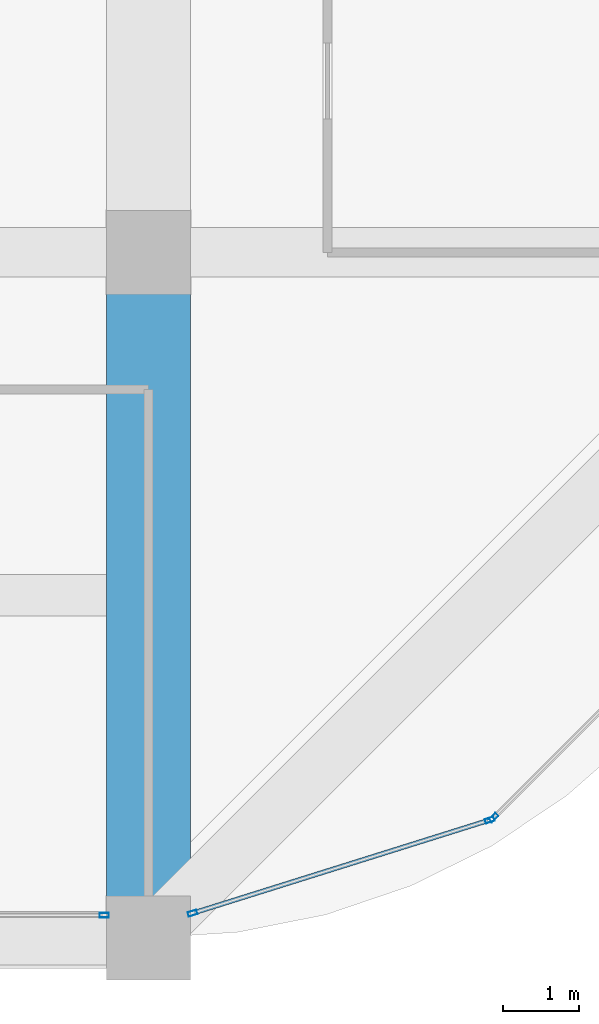
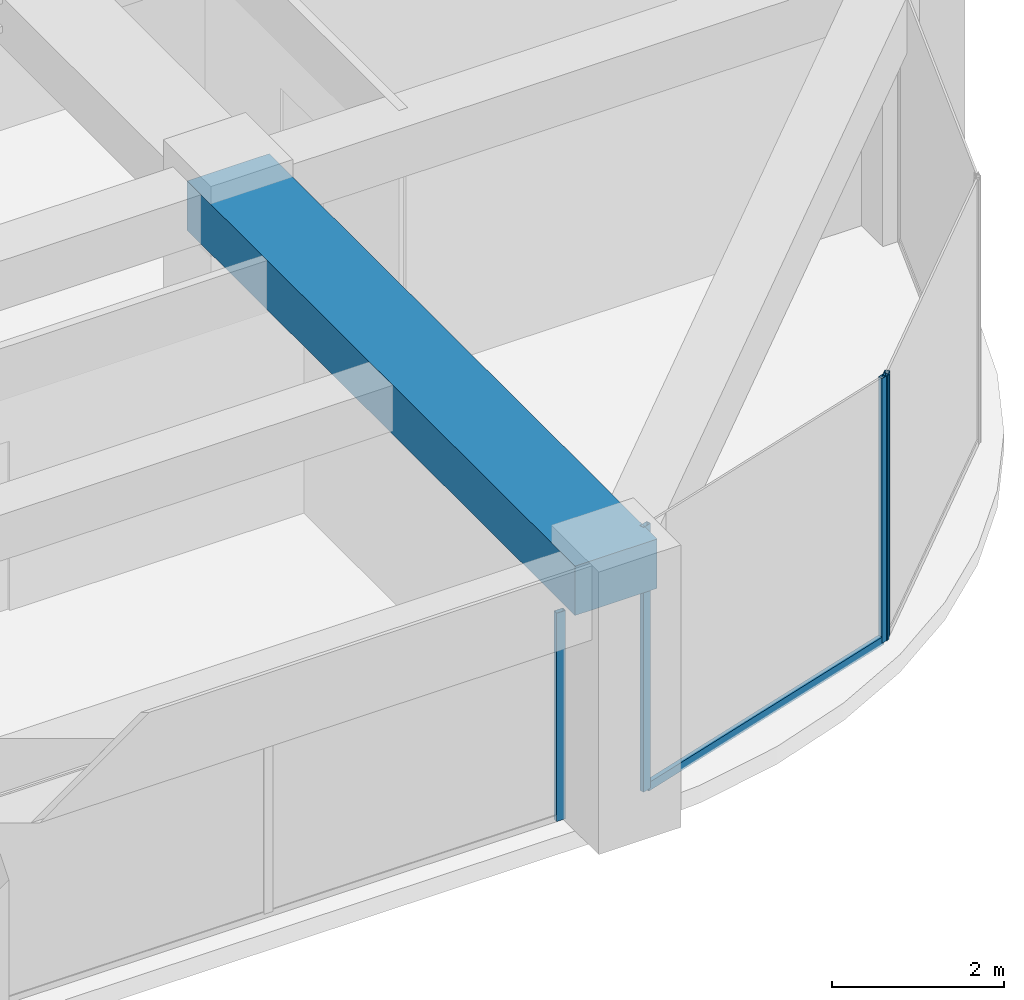
# One storey, part 18 of 44: 5 members, 1 beam, 3 elements without a shape of their own.
"""IFC4 building model written with IfcOpenShell, lengths in metres."""

from ifc_helpers import new_model, si_unit, direction, frame, origin, origin_2d, place, context, subcontext, project, spatial, rectangle, hollow_rectangle, extrude, material, material_profile, profile_set, type_object, element, aggregate, save


model = new_model("IFC4")

# Units and contexts
model_context = context("Model", 3, precision=1e-05, world=origin(), true_north=direction((0.0, 1.0)))
body_context = subcontext(model_context, "Body", "Model", "MODEL_VIEW")
ifc_project = project(units=[si_unit("LENGTHUNIT", "METRE"), si_unit("AREAUNIT", "SQUARE_METRE"), si_unit("VOLUMEUNIT", "CUBIC_METRE"), si_unit("PLANEANGLEUNIT", "RADIAN"), si_unit("MASSUNIT", "GRAM", prefix="KILO")], contexts=[model_context])

# Site, building, storey
site_placement = place(None, origin())
site = spatial("IfcSite", under=ifc_project, at=site_placement, CompositionType="ELEMENT")
building_placement = place(site_placement, origin())
building = spatial("IfcBuilding", under=site, at=building_placement, Name="Zorevar Civic Tower", CompositionType="ELEMENT")
storey_placement = place(building_placement, frame((0.0, 0.0, 287.39990234375)))
storey = spatial("IfcBuildingStorey", under=building, at=storey_placement, Name="L70", CompositionType="ELEMENT", Elevation=287.39990234375)

# Beam
ifc_material_1 = material(Name="Concrete C50/60", Category="concrete")
ifc_material_profile_1 = material_profile(ifc_material_1, rectangle(XDim=1.10009765625, YDim=0.699951171875, at=origin_2d()), Name="RC 1100x700")
ifc_profile_set_1 = profile_set([ifc_material_profile_1], Name="Concrete C50/60")
beam_type = type_object("IfcBeamType", Name="Beam RC 1100x700", PredefinedType="BEAM", material=ifc_profile_set_1)
beam_placement = place(storey_placement, frame((45.0, 0.0, 3.400146484375), z_axis=(0.0, 1.0, 0.0), x_axis=(-1.0, 0.0, 0.0)))
element("IfcBeam", 1, at=beam_placement, inside=storey, type_object=beam_type, Name="Girder L71", PredefinedType="BEAM", context=body_context, shape_type="SweptSolid", body=[
    extrude(rectangle(XDim=1.10009765625, YDim=0.699951171875, at=origin_2d()), origin(), (0.0, 0.0, 1.0), 9.0),
])

# Curtain wall, member
ifc_material_2 = material(Name="Dark grey solar-control glass in black aluminium frame", Category="aluminium")
curtain_wall_type = type_object("IfcCurtainWallType", Name="Curtain wall CW5 top zone", PredefinedType="NOTDEFINED", material=ifc_material_2)
curtain_wall_1_placement = place(storey_placement, origin())
curtain_wall_1 = element("IfcCurtainWall", 2, at=curtain_wall_1_placement, inside=storey, type_object=curtain_wall_type, Name="CW5 L70", PredefinedType="NOTDEFINED")
ifc_material_3 = material(Name="Aluminium, black anodised", Category="aluminium")
ifc_material_profile_2 = material_profile(ifc_material_3, hollow_rectangle(XDim=0.06005859375, YDim=0.1201171875, WallThickness=0.0029296875, at=origin_2d()), Name="AL 120x60x3")
ifc_profile_set_2 = profile_set([ifc_material_profile_2], Name="Aluminium, black anodised")
member_type_1 = type_object("IfcMemberType", Name="CW5 mullion AL 120x60x3", PredefinedType="MULLION", material=ifc_profile_set_2)
member_1_placement = place(storey_placement, frame((44.419921875, 0.300048828125, 0.0), z_axis=(0.0, 0.0, 1.0), x_axis=(0.0, 1.0, 0.0)))
member_1 = element("IfcMember", 3, at=member_1_placement, type_object=member_type_1, Name="CW5 mullion 3", PredefinedType="MULLION", context=body_context, shape_type="SweptSolid", body=[
    extrude(hollow_rectangle(XDim=0.06005859375, YDim=0.1201171875, WallThickness=0.0029296875, at=origin_2d()), origin(), (0.0, 0.0, 1.0), 2.9501953125),
])
aggregate(curtain_wall_1, [member_1])

# Curtain wall, members
curtain_wall_2_placement = place(storey_placement, origin())
curtain_wall_2 = element("IfcCurtainWall", 4, at=curtain_wall_2_placement, inside=storey, type_object=curtain_wall_type, Name="CW5 L70", PredefinedType="NOTDEFINED")
member_2_placement = place(storey_placement, frame((45.57861328125, 0.326416015625, 0.0), z_axis=(0.0, 0.0, 1.0), x_axis=(-0.299317920238, 0.954153437674, 0.0)))
member_2 = element("IfcMember", 5, at=member_2_placement, type_object=member_type_1, Name="CW5 mullion 1", PredefinedType="MULLION", context=body_context, shape_type="SweptSolid", body=[
    extrude(hollow_rectangle(XDim=0.06005859375, YDim=0.1201171875, WallThickness=0.0029296875, at=origin_2d()), origin(), (0.0, 0.0, 1.0), 3.75),
])
member_3_placement = place(storey_placement, frame((49.479248046875, 1.550048828125, 0.0), z_axis=(0.0, 0.0, 1.0), x_axis=(-0.299317920238, 0.954153437674, 0.0)))
member_3 = element("IfcMember", 6, at=member_3_placement, type_object=member_type_1, Name="CW5 mullion 2", PredefinedType="MULLION", context=body_context, shape_type="SweptSolid", body=[
    extrude(hollow_rectangle(XDim=0.06005859375, YDim=0.1201171875, WallThickness=0.0029296875, at=origin_2d()), origin(), (0.0, 0.0, 1.0), 3.75),
])

# Curtain wall, member
curtain_wall_3_placement = place(storey_placement, origin())
curtain_wall_3 = element("IfcCurtainWall", 7, at=curtain_wall_3_placement, inside=storey, type_object=curtain_wall_type, Name="CW5 L70", PredefinedType="NOTDEFINED")
member_4_placement = place(storey_placement, frame((49.529052734375, 1.580322265625, 0.0), z_axis=(0.0, 0.0, 1.0), x_axis=(-0.707106781187, 0.707106781187, 0.0)))
member_4 = element("IfcMember", 8, at=member_4_placement, type_object=member_type_1, Name="CW5 mullion 1", PredefinedType="MULLION", context=body_context, shape_type="SweptSolid", body=[
    extrude(hollow_rectangle(XDim=0.06005859375, YDim=0.1201171875, WallThickness=0.0029296875, at=origin_2d()), origin(), (0.0, 0.0, 1.0), 3.75),
])
aggregate(curtain_wall_3, [member_4])

# Member
ifc_material_4 = material(Name="Aluminium, black anodised", Category="aluminium")
ifc_material_profile_3 = material_profile(ifc_material_4, hollow_rectangle(XDim=0.06005859375, YDim=0.1201171875, WallThickness=0.0029296875, at=origin_2d()), Name="AL 120x60x3")
ifc_profile_set_3 = profile_set([ifc_material_profile_3], Name="Aluminium, black anodised")
member_type_2 = type_object("IfcMemberType", Name="CW5 transom AL 120x60x3", PredefinedType="USERDEFINED", material=ifc_profile_set_3)
member_5_placement = place(storey_placement, frame((45.607177734375, 0.33544921875, 0.030029296875), z_axis=(0.954163457351, 0.299285978047, 0.0), x_axis=(-0.299285978047, 0.954163457351, 0.0)))
member_5 = element("IfcMember", 9, at=member_5_placement, type_object=member_type_2, Name="CW5 sill transom", ObjectType="TRANSOM", PredefinedType="USERDEFINED", context=body_context, shape_type="SweptSolid", body=[
    extrude(hollow_rectangle(XDim=0.06005859375, YDim=0.1201171875, WallThickness=0.0029296875, at=origin_2d()), origin(), (0.0, 0.0, 1.0), 4.028076171875),
])

aggregate(curtain_wall_2, [member_2, member_3, member_5])

save(model, "model.ifc")
